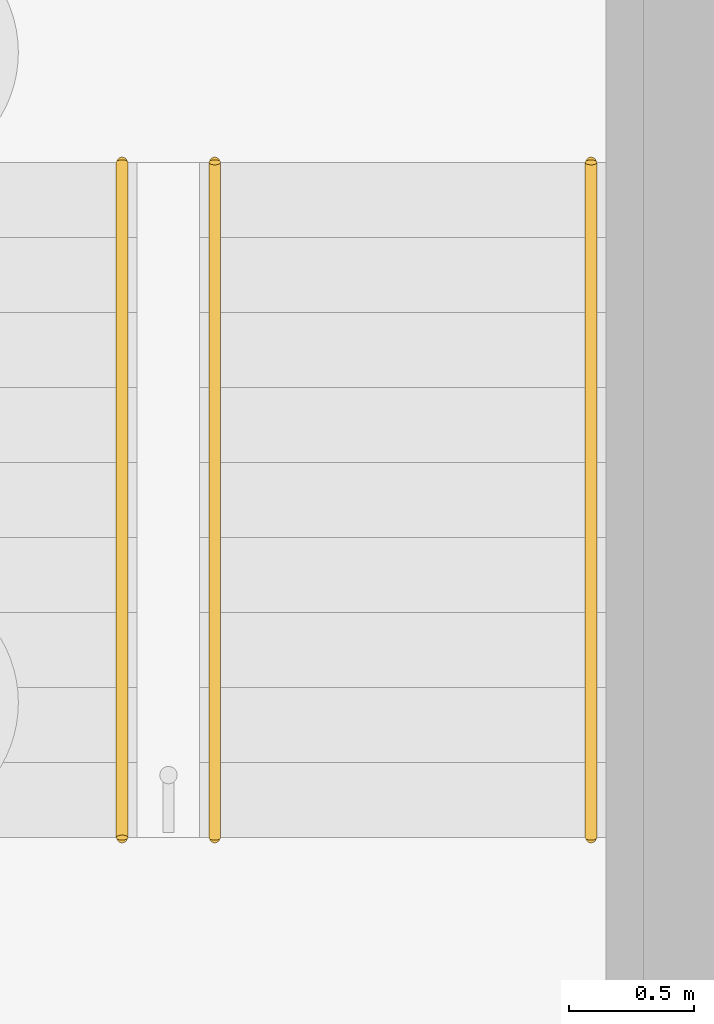
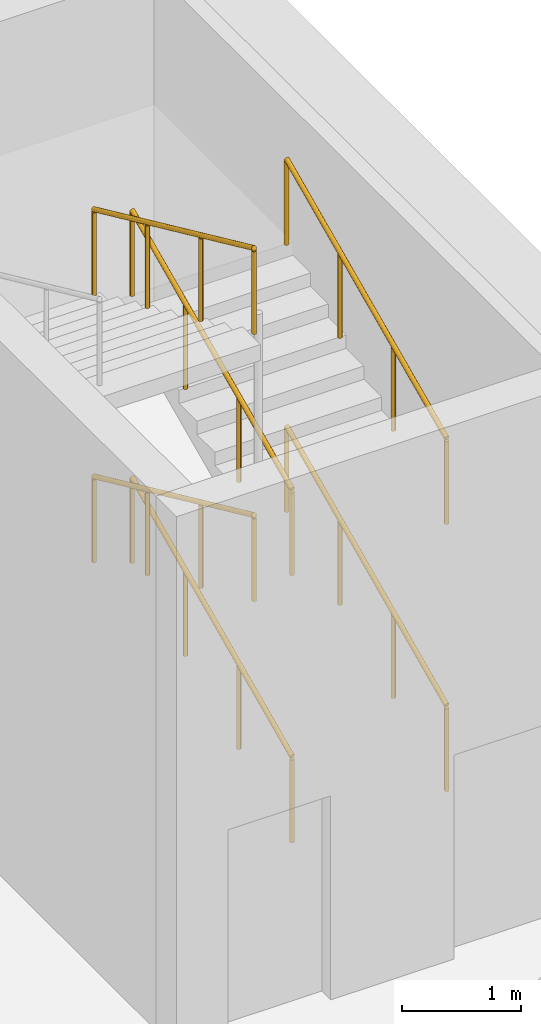
# One storey, part 19 of 33: 6 railings.
"""IFC4 building model written with IfcOpenShell, lengths in metres."""

from ifc_helpers import new_model, si_unit, direction, frame, origin, origin_2d, place, context, subcontext, project, spatial, circle, extrude, material, type_object, element, save


model = new_model("IFC4")

# Units and contexts
model_context = context("Model", 3, precision=1e-05, world=origin(), true_north=direction((0.0, 1.0)))
body_context = subcontext(model_context, "Body", "Model", "MODEL_VIEW")
ifc_project = project(units=[si_unit("LENGTHUNIT", "METRE"), si_unit("AREAUNIT", "SQUARE_METRE"), si_unit("VOLUMEUNIT", "CUBIC_METRE"), si_unit("PLANEANGLEUNIT", "RADIAN"), si_unit("MASSUNIT", "GRAM", prefix="KILO")], contexts=[model_context])

# Site, building, storey
site_placement = place(None, origin())
site = spatial("IfcSite", under=ifc_project, at=site_placement, CompositionType="ELEMENT")
building_placement = place(site_placement, origin())
building = spatial("IfcBuilding", under=site, at=building_placement, Name="Nzadi Deep Aquarium and Research Tower", CompositionType="ELEMENT")
storey_placement = place(building_placement, frame((0.0, 0.0, -5.5)))
storey = spatial("IfcBuildingStorey", under=building, at=storey_placement, Name="B1", CompositionType="ELEMENT", Elevation=-5.5)

# Railings
ifc_material = material(Name="Stainless steel 1.4301", Category="steel")
railing_type = type_object("IfcRailingType", Name="HANDRAIL 900", PredefinedType="HANDRAIL", material=ifc_material)
for number, where, name in (
    (1, (56.989990234375, 116.110107421875, 0.137451171875), "HR-ST-Z3-E-B1-F1"),
    (2, (55.485107421875, 116.110107421875, 0.137451171875), "HR-ST-Z3-E-B1-F1W"),
):
    element("IfcRailing", number, at=place(storey_placement, frame(where)), inside=storey, type_object=railing_type, Name=name, PredefinedType="HANDRAIL", context=body_context, shape_type="SweptSolid", body=[
        extrude(circle(Radius=0.02392578125, at=origin_2d()), frame((0.0, 0.0, 0.8759765625), z_axis=(0.0, 0.909055741701, 0.416674523436), x_axis=(-1.0, 0.0, 0.0)), (0.0, 0.0, 1.0), 2.969970703125),
        extrude(circle(Radius=0.02099609375, at=origin_2d()), origin(), (0.0, 0.0, 1.0), 0.851806640625),
        extrude(circle(Radius=0.02099609375, at=origin_2d()), frame((0.0, 0.89990234375, 0.41259765625)), (0.0, 0.0, 1.0), 0.851806640625),
        extrude(circle(Radius=0.02099609375, at=origin_2d()), frame((0.0, 1.800048828125, 0.824951171875)), (0.0, 0.0, 1.0), 0.851806640625),
        extrude(circle(Radius=0.02099609375, at=origin_2d()), frame((0.0, 2.699951171875, 1.237548828125)), (0.0, 0.0, 1.0), 0.851806640625),
    ])
railing_1_placement = place(storey_placement, frame((55.114990234375, 118.81005859375, 1.512451171875)))
element("IfcRailing", 3, at=railing_1_placement, inside=storey, type_object=railing_type, Name="HR-ST-Z3-E-B1-F2W", PredefinedType="HANDRAIL", context=body_context, shape_type="SweptSolid", body=[
    extrude(circle(Radius=0.02392578125, at=origin_2d()), frame((0.0, 0.0, 0.8759765625), z_axis=(0.0, -0.909055741701, 0.416674523436), x_axis=(1.0, 0.0, 0.0)), (0.0, 0.0, 1.0), 2.969970703125),
    extrude(circle(Radius=0.02099609375, at=origin_2d()), origin(), (0.0, 0.0, 1.0), 0.851806640625),
    extrude(circle(Radius=0.02099609375, at=origin_2d()), frame((0.0, -0.89990234375, 0.41259765625)), (0.0, 0.0, 1.0), 0.851806640625),
    extrude(circle(Radius=0.02099609375, at=origin_2d()), frame((0.0, -1.800048828125, 0.824951171875)), (0.0, 0.0, 1.0), 0.851806640625),
    extrude(circle(Radius=0.02099609375, at=origin_2d()), frame((0.0, -2.699951171875, 1.237548828125)), (0.0, 0.0, 1.0), 0.851806640625),
])
for number, where, name in (
    (4, (56.989990234375, 116.110107421875, 2.887451171875), "HR-ST-Z3-E-B1-F3"),
    (5, (55.485107421875, 116.110107421875, 2.887451171875), "HR-ST-Z3-E-B1-F3W"),
):
    element("IfcRailing", number, at=place(storey_placement, frame(where)), inside=storey, type_object=railing_type, Name=name, PredefinedType="HANDRAIL", context=body_context, shape_type="SweptSolid", body=[
        extrude(circle(Radius=0.02392578125, at=origin_2d()), frame((0.0, 0.0, 0.8759765625), z_axis=(0.0, 0.909055741701, 0.416674523436), x_axis=(-1.0, 0.0, 0.0)), (0.0, 0.0, 1.0), 2.969970703125),
        extrude(circle(Radius=0.02099609375, at=origin_2d()), origin(), (0.0, 0.0, 1.0), 0.851806640625),
        extrude(circle(Radius=0.02099609375, at=origin_2d()), frame((0.0, 0.89990234375, 0.41259765625)), (0.0, 0.0, 1.0), 0.851806640625),
        extrude(circle(Radius=0.02099609375, at=origin_2d()), frame((0.0, 1.800048828125, 0.824951171875)), (0.0, 0.0, 1.0), 0.851806640625),
        extrude(circle(Radius=0.02099609375, at=origin_2d()), frame((0.0, 2.699951171875, 1.237548828125)), (0.0, 0.0, 1.0), 0.851806640625),
    ])
railing_2_placement = place(storey_placement, frame((55.114990234375, 118.81005859375, 4.262451171875)))
element("IfcRailing", 6, at=railing_2_placement, inside=storey, type_object=railing_type, Name="HR-ST-Z3-E-B1-F4W", PredefinedType="HANDRAIL", context=body_context, shape_type="SweptSolid", body=[
    extrude(circle(Radius=0.02392578125, at=origin_2d()), frame((0.0, 0.0, 0.8759765625), z_axis=(0.0, -0.909055741701, 0.416674523436), x_axis=(1.0, 0.0, 0.0)), (0.0, 0.0, 1.0), 2.969970703125),
    extrude(circle(Radius=0.02099609375, at=origin_2d()), origin(), (0.0, 0.0, 1.0), 0.851806640625),
    extrude(circle(Radius=0.02099609375, at=origin_2d()), frame((0.0, -0.89990234375, 0.41259765625)), (0.0, 0.0, 1.0), 0.851806640625),
    extrude(circle(Radius=0.02099609375, at=origin_2d()), frame((0.0, -1.800048828125, 0.824951171875)), (0.0, 0.0, 1.0), 0.851806640625),
    extrude(circle(Radius=0.02099609375, at=origin_2d()), frame((0.0, -2.699951171875, 1.237548828125)), (0.0, 0.0, 1.0), 0.851806640625),
])

save(model, "model.ifc")
